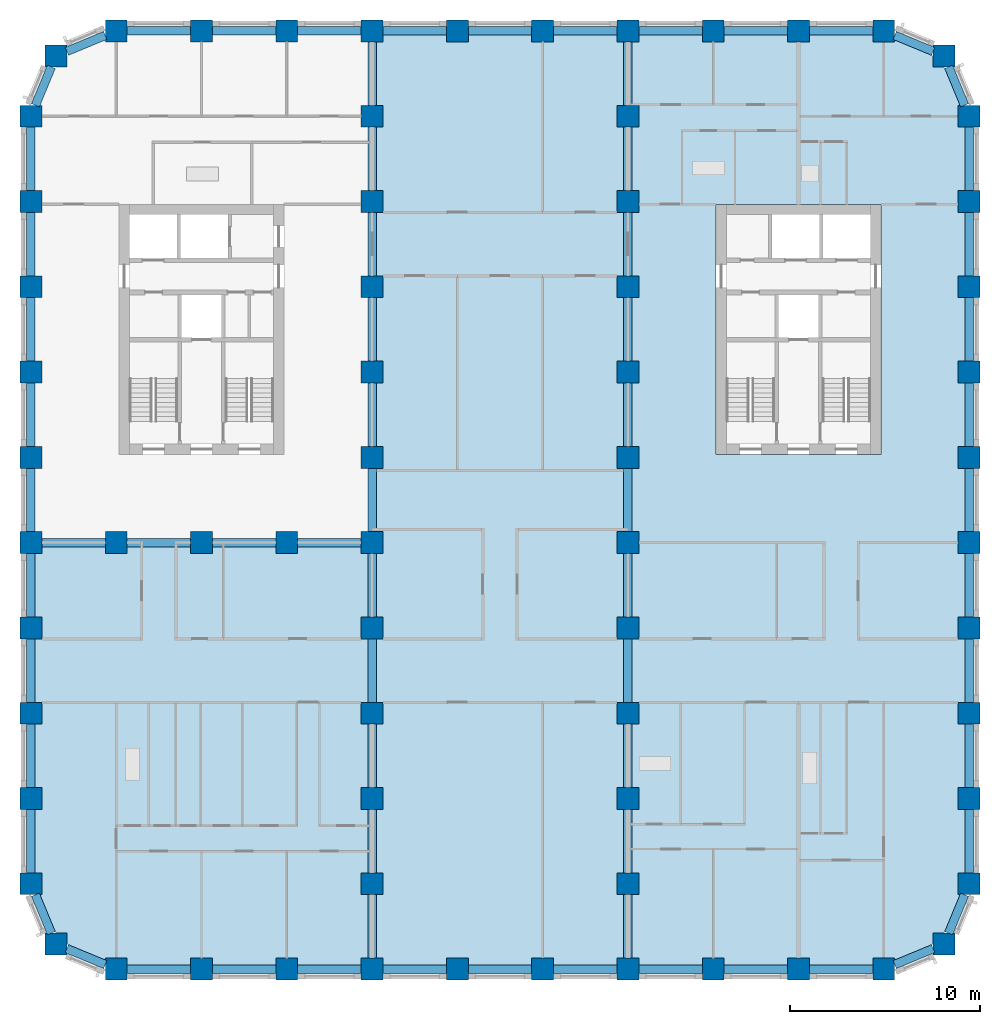
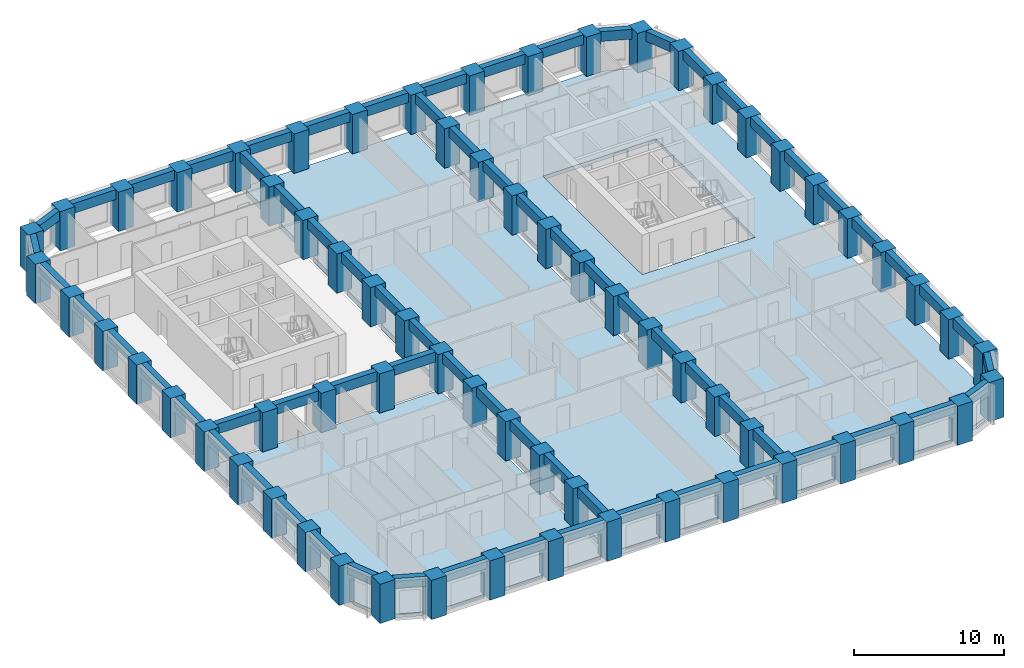
# One storey, part 1 of 13: 70 beams, 67 columns, 3 slabs.
"""IFC4 building model written with IfcOpenShell, lengths in metres."""

import ifcopenshell
import ifcopenshell.guid

model = None  # the IFC model being written
_history = None  # IfcOwnerHistory: only IFC2X3 demands one
_inside = {}  # id of a spatial element -> (the spatial element, [elements in it])
_under = {}  # id of a project, library or spatial element -> (it, [spatial elements below it])
_declared = {}  # id of a project -> (the project, [libraries it declares])
_typed = {}  # id of a type object -> (the type object, [elements of that type])
_made_of = {}  # id of a material, layer set ... -> (it, [elements and type objects made of it])


def new_model(schema):
    """Start an empty IFC model of exactly this schema.

    Asked for "IFC4X3", IfcOpenShell would pick the latest addendum, in which some entities
    have other attributes; the version numbers below select the first issue.
    IFC2X3 requires an IfcOwnerHistory on every rooted entity: one is made here for all.
    """
    global model, _history
    if schema == "IFC4X3":
        model = ifcopenshell.file(schema_version=(4, 3, 0, 0))
    else:
        model = ifcopenshell.file(schema=schema)
    _inside.clear()
    _under.clear()
    _declared.clear()
    _typed.clear()
    _made_of.clear()
    _history = None
    if model.schema == "IFC2X3":
        org = make("IfcOrganization", Name="unknown")
        user = make(
            "IfcPersonAndOrganization",
            ThePerson=make("IfcPerson", FamilyName="unknown"),
            TheOrganization=org,
        )
        app = make(
            "IfcApplication",
            ApplicationDeveloper=org,
            Version="unknown",
            ApplicationFullName="unknown",
            ApplicationIdentifier="unknown",
        )
        _history = make(
            "IfcOwnerHistory",
            OwningUser=user,
            OwningApplication=app,
            ChangeAction="ADDED",
            CreationDate=0,
        )
    return model


def make(cls, **values):
    """One entity of the class cls with the attributes given. An attribute that is None is left unset."""
    return model.create_entity(
        cls, **{name: value for name, value in values.items() if value is not None}
    )


def rooted(cls, **values):
    """An entity with a GlobalId (a new one), such as an element, a storey or a relation."""
    return make(cls, GlobalId=ifcopenshell.guid.new(), OwnerHistory=_history, **values)


def si_unit(unit_type, name, prefix=None):
    """IfcSIUnit, for example si_unit("LENGTHUNIT", "METRE", prefix="MILLI")."""
    return make("IfcSIUnit", UnitType=unit_type, Prefix=prefix, Name=name)


def assignment(units):
    """IfcUnitAssignment: the units of a project."""
    return None if units is None else make("IfcUnitAssignment", Units=units)


def point(xyz):
    """IfcCartesianPoint."""
    return None if xyz is None else make("IfcCartesianPoint", Coordinates=xyz)


def direction(xyz):
    """IfcDirection."""
    return None if xyz is None else make("IfcDirection", DirectionRatios=xyz)


def frame(location, z_axis=None, x_axis=None):
    """IfcAxis2Placement3D, a coordinate frame: its origin and axes. An axis left out is left unset."""
    return make(
        "IfcAxis2Placement3D",
        Location=point(location),
        Axis=direction(z_axis),
        RefDirection=direction(x_axis),
    )


def frame_2d(location, x_axis=None):
    """IfcAxis2Placement2D, a coordinate frame in the plane: its origin and x axis."""
    return make(
        "IfcAxis2Placement2D", Location=point(location), RefDirection=direction(x_axis)
    )


def origin():
    """The frame at (0, 0, 0) with its axes left unset."""
    return frame((0.0, 0.0, 0.0))


def origin_2d():
    """The frame at (0, 0) in the plane with its x axis left unset."""
    return frame_2d((0.0, 0.0))


def place(relative_to, where):
    """IfcLocalPlacement: puts the frame where relative to a parent placement (None: the world)."""
    return make(
        "IfcLocalPlacement", PlacementRelTo=relative_to, RelativePlacement=where
    )


def context(
    kind, dimensions, precision=None, world=None, true_north=None, identifier=None
):
    """IfcGeometricRepresentationContext, for example the 3D "Model" context."""
    return make(
        "IfcGeometricRepresentationContext",
        ContextIdentifier=identifier,
        ContextType=kind,
        CoordinateSpaceDimension=dimensions,
        Precision=precision,
        WorldCoordinateSystem=world,
        TrueNorth=true_north,
    )


def subcontext(parent, identifier, kind, view, scale=None):
    """IfcGeometricRepresentationSubContext, for example "Body" below "Model"."""
    return make(
        "IfcGeometricRepresentationSubContext",
        ContextIdentifier=identifier,
        ContextType=kind,
        ParentContext=parent,
        TargetScale=scale,
        TargetView=view,
    )


def project(units=None, contexts=None):
    """IfcProject with its units and contexts."""
    return rooted(
        "IfcProject",
        Name="project",
        RepresentationContexts=contexts,
        UnitsInContext=assignment(units),
    )


def spatial(cls, under=None, at=None, **own):
    """A site, building, storey or space (cls), placed at a placement, below another one or the project."""
    s = rooted(cls, ObjectPlacement=at, **own)
    if under is not None:
        _under.setdefault(under.id(), (under, []))[1].append(s)
    return s


def polyline(points):
    """IfcPolyline through the points."""
    return make("IfcPolyline", Points=[point(p) for p in points])


def profile(cls, at=None, kind="AREA", **sizes):
    """A parametric profile (cls). Its sizes go by their IFC names, for example OverallWidth=200.0."""
    return make(cls, ProfileType=kind, Position=at, **sizes)


def rectangle(**sizes):
    """IfcRectangleProfileDef."""
    return profile("IfcRectangleProfileDef", **sizes)


def outline(outer, holes=None, kind="AREA"):
    """IfcArbitraryClosedProfileDef: a profile drawn as a closed curve; with holes, ...WithVoids."""
    if holes is None:
        return make("IfcArbitraryClosedProfileDef", ProfileType=kind, OuterCurve=outer)
    return make(
        "IfcArbitraryProfileDefWithVoids",
        ProfileType=kind,
        OuterCurve=outer,
        InnerCurves=holes,
    )


def extrude(swept, where, along, depth):
    """IfcExtrudedAreaSolid: the profile swept, set in the frame where, extruded along a direction by depth."""
    return make(
        "IfcExtrudedAreaSolid",
        SweptArea=swept,
        Position=where,
        ExtrudedDirection=direction(along),
        Depth=depth,
    )


def shape(context_of_items, identifier, shape_type, items):
    """IfcShapeRepresentation: the items that make up one representation, for example the "Body"."""
    return make(
        "IfcShapeRepresentation",
        ContextOfItems=context_of_items,
        RepresentationIdentifier=identifier,
        RepresentationType=shape_type,
        Items=items,
    )


def material(Name=None, Category=None):
    """IfcMaterial."""
    return make("IfcMaterial", Name=Name, Category=Category)


def layer(
    of_material, thickness, ventilated=None, Name=None, Category=None, Priority=None
):
    """IfcMaterialLayer: one layer of a wall or slab, of a material (None: an air gap)."""
    return make(
        "IfcMaterialLayer",
        Material=of_material,
        LayerThickness=thickness,
        IsVentilated=ventilated,
        Name=Name,
        Category=Category,
        Priority=Priority,
    )


def layer_set(layers, Name=None):
    """IfcMaterialLayerSet."""
    return make("IfcMaterialLayerSet", MaterialLayers=layers, LayerSetName=Name)


def material_profile(
    of_material, cross_section, Name=None, Category=None, Priority=None
):
    """IfcMaterialProfile: a cross section and its material."""
    return make(
        "IfcMaterialProfile",
        Name=Name,
        Material=of_material,
        Profile=cross_section,
        Priority=Priority,
        Category=Category,
    )


def profile_set(profiles, Name=None, composite=None):
    """IfcMaterialProfileSet."""
    return make(
        "IfcMaterialProfileSet",
        Name=Name,
        MaterialProfiles=profiles,
        CompositeProfile=composite,
    )


def made_of(thing, what):
    """Note that an element or type object is made of a material, layer set ...; save() writes the relation."""
    if what is not None:
        _made_of.setdefault(what.id(), (what, []))[1].append(thing)
    return thing


def type_object(cls, material=None, **own):
    """A type object (cls), such as IfcWallType, which elements share."""
    return made_of(rooted(cls, **own), material)


def element(
    cls,
    number,
    at=None,
    inside=None,
    cuts=None,
    type_object=None,
    material=None,
    context=None,
    identifier="Body",
    shape_type=None,
    held_by="IfcProductDefinitionShape",
    body=None,
    shapes=None,
    **own,
):
    """One element of the class cls, such as IfcWall. Its Tag is "e" and its number.

    at: its placement. inside: the storey or other place that contains it. cuts: it is an
    opening in that element (IfcRelVoidsElement). A single representation is given by context,
    identifier, shape_type and body (its items); several are given by shapes. held_by: the class
    of the entity that holds the representations. save() writes the other relations.
    """
    e = rooted(cls, Tag="e%d" % number, ObjectPlacement=at, **own)
    if body is not None:
        shapes = [shape(context, identifier, shape_type, body)]
    if shapes is not None:
        e.Representation = make(held_by, Representations=shapes)
    if inside is not None:
        _inside.setdefault(inside.id(), (inside, []))[1].append(e)
    if cuts is not None:
        rooted(
            "IfcRelVoidsElement", RelatingBuildingElement=cuts, RelatedOpeningElement=e
        )
    if type_object is not None:
        _typed.setdefault(type_object.id(), (type_object, []))[1].append(e)
    return made_of(e, material)


def aggregate(whole, parts):
    """IfcRelAggregates: a whole, such as a stair, and the parts it consists of."""
    return rooted("IfcRelAggregates", RelatingObject=whole, RelatedObjects=parts)


def save(model, path):
    """Write the relations noted so far, then the file.

    IfcRelAggregates (storeys below a building ...), IfcRelContainedInSpatialStructure (elements
    in a storey), IfcRelDefinesByType, IfcRelAssociatesMaterial and IfcRelDeclares: one each for
    every whole, place, type object, material and project.
    """
    for whole, parts in _under.values():
        aggregate(whole, parts)
    for where, things in _inside.values():
        rooted(
            "IfcRelContainedInSpatialStructure",
            RelatedElements=things,
            RelatingStructure=where,
        )
    for kind, things in _typed.values():
        rooted("IfcRelDefinesByType", RelatedObjects=things, RelatingType=kind)
    for what, things in _made_of.values():
        rooted("IfcRelAssociatesMaterial", RelatedObjects=things, RelatingMaterial=what)
    for by, libraries in _declared.values():
        rooted("IfcRelDeclares", RelatingContext=by, RelatedDefinitions=libraries)
    model.write(path)


model = new_model("IFC4")

# Units and contexts
model_context = context("Model", 3, precision=1e-05, world=origin(), true_north=direction((0.0, 1.0)))
body_context = subcontext(model_context, "Body", "Model", "MODEL_VIEW")
ifc_project = project(units=[si_unit("LENGTHUNIT", "METRE"), si_unit("AREAUNIT", "SQUARE_METRE"), si_unit("VOLUMEUNIT", "CUBIC_METRE"), si_unit("PLANEANGLEUNIT", "RADIAN"), si_unit("MASSUNIT", "GRAM", prefix="KILO")], contexts=[model_context])

# Site, building, storey
site_placement = place(None, origin())
site = spatial("IfcSite", under=ifc_project, at=site_placement, CompositionType="ELEMENT")
building_placement = place(site_placement, origin())
building = spatial("IfcBuilding", under=site, at=building_placement, Name="Girih Gate Residences", CompositionType="ELEMENT")
storey_placement = place(building_placement, frame((0.0, 0.0, 102.39990234375)))
storey = spatial("IfcBuildingStorey", under=building, at=storey_placement, Name="L28", CompositionType="ELEMENT", Elevation=102.39990234375)

# Columns
ifc_material_1 = material(Name="Concrete C80/95", Category="concrete")
ifc_material_profile_1 = material_profile(ifc_material_1, rectangle(XDim=1.14990234375, YDim=1.14990234375, at=origin_2d()))
ifc_profile_set_1 = profile_set([ifc_material_profile_1], Name="Concrete C80/95")
column_type = type_object("IfcColumnType", Name="Pier RC 1150x1150 Concrete C80/95", PredefinedType="COLUMN", material=ifc_profile_set_1)
for number, where, z_axis, x_axis, name in (
    (1, (4.5, 0.0, 0.0), (0.0, 0.0, 1.0), (1.0, 0.0, 0.0), "Pier P2A L28"),
    (2, (9.0, 0.0, 0.0), (0.0, 0.0, 1.0), (1.0, 0.0, 0.0), "Pier P3A L28"),
    (3, (13.5, 0.0, 0.0), (0.0, 0.0, 1.0), (1.0, 0.0, 0.0), "Pier P4A L28"),
    (4, (18.0, 0.0, 0.0), (0.0, 0.0, 1.0), (1.0, 0.0, 0.0), "Pier P5A L28"),
    (5, (22.5, 0.0, 0.0), (0.0, 0.0, 1.0), (1.0, 0.0, 0.0), "Pier P6A L28"),
    (6, (27.0, 0.0, 0.0), (0.0, 0.0, 1.0), (1.0, 0.0, 0.0), "Pier P7A L28"),
    (7, (31.5, 0.0, 0.0), (0.0, 0.0, 1.0), (1.0, 0.0, 0.0), "Pier P8A L28"),
    (8, (36.0, 0.0, 0.0), (0.0, 0.0, 1.0), (1.0, 0.0, 0.0), "Pier P9A L28"),
    (9, (40.5, 0.0, 0.0), (0.0, 0.0, 1.0), (1.0, 0.0, 0.0), "Pier P10A L28"),
    (10, (45.0, 0.0, 0.0), (0.0, 0.0, 1.0), (1.0, 0.0, 0.0), "Pier P11A L28"),
    (11, (1.318115234375, 1.318115234375, 0.0), (0.0, 0.0, 1.0), (1.0, 0.0, 0.0), "Pier P1ANE L28"),
    (12, (48.181884765625, 1.318115234375, 0.0), (0.0, 0.0, 1.0), (1.0, 0.0, 0.0), "Pier P12ANW L28"),
    (13, (0.0, 4.5, 0.0), (0.0, 0.0, 1.0), (1.0, 0.0, 0.0), "Pier P1B L28"),
    (14, (18.0, 4.5, 0.0), (0.0, 0.0, 1.0), (1.0, 0.0, 0.0), "Pier P5B L28"),
    (15, (31.5, 4.5, 0.0), (0.0, 0.0, 1.0), (1.0, 0.0, 0.0), "Pier P8B L28"),
    (16, (49.5, 4.5, 0.0), (0.0, 0.0, 1.0), (1.0, 0.0, 0.0), "Pier P12B L28"),
    (17, (0.0, 9.0, 0.0), (0.0, 0.0, 1.0), (1.0, 0.0, 0.0), "Pier P1C L28"),
    (18, (18.0, 9.0, 0.0), (0.0, 0.0, 1.0), (1.0, 0.0, 0.0), "Pier P5C L28"),
    (19, (31.5, 9.0, 0.0), (0.0, 0.0, 1.0), (1.0, 0.0, 0.0), "Pier P8C L28"),
    (20, (49.5, 9.0, 0.0), (0.0, 0.0, 1.0), (1.0, 0.0, 0.0), "Pier P12C L28"),
    (21, (0.0, 13.5, 0.0), (0.0, 0.0, 1.0), (1.0, 0.0, 0.0), "Pier P1D L28"),
    (22, (18.0, 13.5, 0.0), (0.0, 0.0, 1.0), (1.0, 0.0, 0.0), "Pier P5D L28"),
    (23, (31.5, 13.5, 0.0), (0.0, 0.0, 1.0), (1.0, 0.0, 0.0), "Pier P8D L28"),
    (24, (49.5, 13.5, 0.0), (0.0, 0.0, 1.0), (1.0, 0.0, 0.0), "Pier P12D L28"),
    (25, (0.0, 18.0, 0.0), (0.0, 0.0, 1.0), (1.0, 0.0, 0.0), "Pier P1E L28"),
    (26, (18.0, 18.0, 0.0), (0.0, 0.0, 1.0), (1.0, 0.0, 0.0), "Pier P5E L28"),
    (27, (31.5, 18.0, 0.0), (0.0, 0.0, 1.0), (1.0, 0.0, 0.0), "Pier P8E L28"),
    (28, (49.5, 18.0, 0.0), (0.0, 0.0, 1.0), (1.0, 0.0, 0.0), "Pier P12E L28"),
    (29, (0.0, 22.5, 0.0), (0.0, 0.0, 1.0), (1.0, 0.0, 0.0), "Pier P1F L28"),
    (30, (4.5, 22.5, 0.0), (0.0, 0.0, 1.0), (1.0, 0.0, 0.0), "Pier P2F L28"),
    (31, (9.0, 22.5, 0.0), (0.0, 0.0, 1.0), (1.0, 0.0, 0.0), "Pier P3F L28"),
    (32, (13.5, 22.5, 0.0), (0.0, 0.0, 1.0), (1.0, 0.0, 0.0), "Pier P4F L28"),
    (33, (18.0, 22.5, 0.0), (0.0, 0.0, 1.0), (1.0, 0.0, 0.0), "Pier P5F L28"),
    (34, (31.5, 22.5, 0.0), (0.0, 0.0, 1.0), (1.0, 0.0, 0.0), "Pier P8F L28"),
    (35, (49.5, 22.5, 0.0), (0.0, 0.0, 1.0), (1.0, 0.0, 0.0), "Pier P12F L28"),
    (36, (0.0, 27.0, 0.0), (0.0, 0.0, 1.0), (1.0, 0.0, 0.0), "Pier P1G L28"),
    (37, (18.0, 27.0, 0.0), (0.0, 0.0, 1.0), (1.0, 0.0, 0.0), "Pier P5G L28"),
    (38, (31.5, 27.0, 0.0), (0.0, 0.0, 1.0), (1.0, 0.0, 0.0), "Pier P8G L28"),
    (39, (49.5, 27.0, 0.0), (0.0, 0.0, 1.0), (1.0, 0.0, 0.0), "Pier P12G L28"),
    (40, (0.0, 31.5, 0.0), (0.0, 0.0, 1.0), (1.0, 0.0, 0.0), "Pier P1H L28"),
    (41, (18.0, 31.5, 0.0), (0.0, 0.0, 1.0), (1.0, 0.0, 0.0), "Pier P5H L28"),
    (42, (31.5, 31.5, 0.0), (0.0, 0.0, 1.0), (1.0, 0.0, 0.0), "Pier P8H L28"),
    (43, (49.5, 31.5, 0.0), (0.0, 0.0, 1.0), (1.0, 0.0, 0.0), "Pier P12H L28"),
    (44, (0.0, 36.0, 0.0), (0.0, 0.0, 1.0), (1.0, 0.0, 0.0), "Pier P1I L28"),
    (45, (18.0, 36.0, 0.0), (0.0, 0.0, 1.0), (1.0, 0.0, 0.0), "Pier P5I L28"),
    (46, (31.5, 36.0, 0.0), (0.0, 0.0, 1.0), (1.0, 0.0, 0.0), "Pier P8I L28"),
    (47, (49.5, 36.0, 0.0), (0.0, 0.0, 1.0), (1.0, 0.0, 0.0), "Pier P12I L28"),
    (48, (0.0, 40.5, 0.0), (0.0, 0.0, 1.0), (1.0, 0.0, 0.0), "Pier P1J L28"),
    (49, (18.0, 40.5, 0.0), (0.0, 0.0, 1.0), (1.0, 0.0, 0.0), "Pier P5J L28"),
    (50, (31.5, 40.5, 0.0), (0.0, 0.0, 1.0), (1.0, 0.0, 0.0), "Pier P8J L28"),
    (51, (49.5, 40.5, 0.0), (0.0, 0.0, 1.0), (1.0, 0.0, 0.0), "Pier P12J L28"),
    (52, (0.0, 45.0, 0.0), (0.0, 0.0, 1.0), (1.0, 0.0, 0.0), "Pier P1K L28"),
    (53, (18.0, 45.0, 0.0), (0.0, 0.0, 1.0), (1.0, 0.0, 0.0), "Pier P5K L28"),
    (54, (31.5, 45.0, 0.0), (0.0, 0.0, 1.0), (1.0, 0.0, 0.0), "Pier P8K L28"),
    (55, (49.5, 45.0, 0.0), (0.0, 0.0, 1.0), (1.0, 0.0, 0.0), "Pier P12K L28"),
    (56, (1.318115234375, 48.181884765625, 0.0), (0.0, 0.0, 1.0), (1.0, 0.0, 0.0), "Pier P1LSE L28"),
    (57, (48.181884765625, 48.181884765625, 0.0), (0.0, 0.0, 1.0), (1.0, 0.0, 0.0), "Pier P12LSW L28"),
    (58, (4.5, 49.5, 0.0), (0.0, 0.0, 1.0), (1.0, 0.0, 0.0), "Pier P2L L28"),
    (59, (9.0, 49.5, 0.0), (0.0, 0.0, 1.0), (1.0, 0.0, 0.0), "Pier P3L L28"),
    (60, (13.5, 49.5, 0.0), (0.0, 0.0, 1.0), (1.0, 0.0, 0.0), "Pier P4L L28"),
    (61, (18.0, 49.5, 0.0), (0.0, 0.0, 1.0), (1.0, 0.0, 0.0), "Pier P5L L28"),
    (62, (22.5, 49.5, 0.0), (0.0, 0.0, 1.0), (1.0, 0.0, 0.0), "Pier P6L L28"),
    (63, (27.0, 49.5, 0.0), (0.0, 0.0, 1.0), (1.0, 0.0, 0.0), "Pier P7L L28"),
    (64, (31.5, 49.5, 0.0), (0.0, 0.0, 1.0), (1.0, 0.0, 0.0), "Pier P8L L28"),
    (65, (36.0, 49.5, 0.0), (0.0, 0.0, 1.0), (1.0, 0.0, 0.0), "Pier P9L L28"),
    (66, (40.5, 49.5, 0.0), (0.0, 0.0, 1.0), (1.0, 0.0, 0.0), "Pier P10L L28"),
    (67, (45.0, 49.5, 0.0), (0.0, 0.0, 1.0), (1.0, 0.0, 0.0), "Pier P11L L28"),
):
    element("IfcColumn", number, at=place(storey_placement, frame(where, z_axis=z_axis, x_axis=x_axis)), inside=storey, type_object=column_type, Name=name, PredefinedType="COLUMN", context=body_context, shape_type="SweptSolid", body=[
        extrude(rectangle(XDim=1.14990234375, YDim=1.14990234375, at=origin_2d()), origin(), (0.0, 0.0, 1.0), 3.2001953125),
    ])

# Beams
ifc_material_2 = material(Name="Concrete C60/75", Category="concrete")
ifc_material_profile_2 = material_profile(ifc_material_2, rectangle(XDim=0.449951171875, YDim=0.800048828125, at=origin_2d()))
ifc_profile_set_2 = profile_set([ifc_material_profile_2], Name="Concrete C60/75")
beam_type = type_object("IfcBeamType", Name="Spandrel girder RC 450x800 Concrete C60/75", PredefinedType="BEAM", material=ifc_profile_set_2)
for number, where, z_axis, x_axis, name in (
    (68, (0.23828125, 3.925048828125, 2.800048828125), (0.382636106589, -0.92389913407, 0.0), (0.92389913407, 0.382636106589, 0.0), "Spandrel girder SP-P1B-P1ANE L28"),
    (69, (1.89306640625, 1.079833984375, 2.800048828125), (0.92389913407, -0.382636106589, 0.0), (0.382636106589, 0.92389913407, 0.0), "Spandrel girder SP-P1ANE-P2A L28"),
):
    element("IfcBeam", number, at=place(storey_placement, frame(where, z_axis=z_axis, x_axis=x_axis)), inside=storey, type_object=beam_type, Name=name, PredefinedType="BEAM", context=body_context, shape_type="SweptSolid", body=[
        extrude(rectangle(XDim=0.449951171875, YDim=0.800048828125, at=origin_2d()), origin(), (0.0, 0.0, 1.0), 2.199462890625),
    ])
for number, where, z_axis, x_axis, name in (
    (70, (5.074951171875, 0.0, 2.800048828125), (1.0, 0.0, 0.0), (0.0, 1.0, 0.0), "Spandrel girder SP-P2A-P3A L28"),
    (71, (9.574951171875, 0.0, 2.800048828125), (1.0, 0.0, 0.0), (0.0, 1.0, 0.0), "Spandrel girder SP-P3A-P4A L28"),
    (72, (14.074951171875, 0.0, 2.800048828125), (1.0, 0.0, 0.0), (0.0, 1.0, 0.0), "Spandrel girder SP-P4A-P5A L28"),
    (73, (18.574951171875, 0.0, 2.800048828125), (1.0, 0.0, 0.0), (0.0, 1.0, 0.0), "Spandrel girder SP-P5A-P6A L28"),
    (74, (23.074951171875, 0.0, 2.800048828125), (1.0, 0.0, 0.0), (0.0, 1.0, 0.0), "Spandrel girder SP-P6A-P7A L28"),
    (75, (27.574951171875, 0.0, 2.800048828125), (1.0, 0.0, 0.0), (0.0, 1.0, 0.0), "Spandrel girder SP-P7A-P8A L28"),
    (76, (32.074951171875, 0.0, 2.800048828125), (1.0, 0.0, 0.0), (0.0, 1.0, 0.0), "Spandrel girder SP-P8A-P9A L28"),
    (77, (36.574951171875, 0.0, 2.800048828125), (1.0, 0.0, 0.0), (0.0, 1.0, 0.0), "Spandrel girder SP-P9A-P10A L28"),
    (78, (41.074951171875, 0.0, 2.800048828125), (1.0, 0.0, 0.0), (0.0, 1.0, 0.0), "Spandrel girder SP-P10A-P11A L28"),
):
    element("IfcBeam", number, at=place(storey_placement, frame(where, z_axis=z_axis, x_axis=x_axis)), inside=storey, type_object=beam_type, Name=name, PredefinedType="BEAM", context=body_context, shape_type="SweptSolid", body=[
        extrude(rectangle(XDim=0.449951171875, YDim=0.800048828125, at=origin_2d()), origin(), (0.0, 0.0, 1.0), 3.35009765625),
    ])
for number, where, z_axis, x_axis, name in (
    (79, (45.574951171875, 0.23828125, 2.800048828125), (0.92389913407, 0.382636106589, 0.0), (-0.382636106589, 0.92389913407, 0.0), "Spandrel girder SP-P11A-P12ANW L28"),
    (80, (48.420166015625, 1.89306640625, 2.800048828125), (0.382636106589, 0.92389913407, 0.0), (-0.92389913407, 0.382636106589, 0.0), "Spandrel girder SP-P12ANW-P12B L28"),
):
    element("IfcBeam", number, at=place(storey_placement, frame(where, z_axis=z_axis, x_axis=x_axis)), inside=storey, type_object=beam_type, Name=name, PredefinedType="BEAM", context=body_context, shape_type="SweptSolid", body=[
        extrude(rectangle(XDim=0.449951171875, YDim=0.800048828125, at=origin_2d()), origin(), (0.0, 0.0, 1.0), 2.199462890625),
    ])
for number, where, z_axis, x_axis, name in (
    (81, (49.5, 5.074951171875, 2.800048828125), (0.0, 1.0, 0.0), (-1.0, 0.0, 0.0), "Spandrel girder SP-P12B-P12C L28"),
    (82, (49.5, 9.574951171875, 2.800048828125), (0.0, 1.0, 0.0), (-1.0, 0.0, 0.0), "Spandrel girder SP-P12C-P12D L28"),
    (83, (49.5, 14.074951171875, 2.800048828125), (0.0, 1.0, 0.0), (-1.0, 0.0, 0.0), "Spandrel girder SP-P12D-P12E L28"),
    (84, (49.5, 18.574951171875, 2.800048828125), (0.0, 1.0, 0.0), (-1.0, 0.0, 0.0), "Spandrel girder SP-P12E-P12F L28"),
    (85, (49.5, 23.074951171875, 2.800048828125), (0.0, 1.0, 0.0), (-1.0, 0.0, 0.0), "Spandrel girder SP-P12F-P12G L28"),
    (86, (49.5, 27.574951171875, 2.800048828125), (0.0, 1.0, 0.0), (-1.0, 0.0, 0.0), "Spandrel girder SP-P12G-P12H L28"),
    (87, (49.5, 32.074951171875, 2.800048828125), (0.0, 1.0, 0.0), (-1.0, 0.0, 0.0), "Spandrel girder SP-P12H-P12I L28"),
    (88, (49.5, 36.574951171875, 2.800048828125), (0.0, 1.0, 0.0), (-1.0, 0.0, 0.0), "Spandrel girder SP-P12I-P12J L28"),
    (89, (49.5, 41.074951171875, 2.800048828125), (0.0, 1.0, 0.0), (-1.0, 0.0, 0.0), "Spandrel girder SP-P12J-P12K L28"),
):
    element("IfcBeam", number, at=place(storey_placement, frame(where, z_axis=z_axis, x_axis=x_axis)), inside=storey, type_object=beam_type, Name=name, PredefinedType="BEAM", context=body_context, shape_type="SweptSolid", body=[
        extrude(rectangle(XDim=0.449951171875, YDim=0.800048828125, at=origin_2d()), origin(), (0.0, 0.0, 1.0), 3.35009765625),
    ])
for number, where, z_axis, x_axis, name in (
    (90, (49.26171875, 45.574951171875, 2.800048828125), (-0.382636106589, 0.92389913407, 0.0), (-0.92389913407, -0.382636106589, 0.0), "Spandrel girder SP-P12K-P12LSW L28"),
    (91, (47.60693359375, 48.420166015625, 2.800048828125), (-0.92389913407, 0.382636106589, 0.0), (-0.382636106589, -0.92389913407, 0.0), "Spandrel girder SP-P12LSW-P11L L28"),
):
    element("IfcBeam", number, at=place(storey_placement, frame(where, z_axis=z_axis, x_axis=x_axis)), inside=storey, type_object=beam_type, Name=name, PredefinedType="BEAM", context=body_context, shape_type="SweptSolid", body=[
        extrude(rectangle(XDim=0.449951171875, YDim=0.800048828125, at=origin_2d()), origin(), (0.0, 0.0, 1.0), 2.199462890625),
    ])
for number, where, z_axis, x_axis, name in (
    (92, (44.425048828125, 49.5, 2.800048828125), (-1.0, 0.0, 0.0), (0.0, -1.0, 0.0), "Spandrel girder SP-P11L-P10L L28"),
    (93, (39.925048828125, 49.5, 2.800048828125), (-1.0, 0.0, 0.0), (0.0, -1.0, 0.0), "Spandrel girder SP-P10L-P9L L28"),
    (94, (35.425048828125, 49.5, 2.800048828125), (-1.0, 0.0, 0.0), (0.0, -1.0, 0.0), "Spandrel girder SP-P9L-P8L L28"),
    (95, (30.925048828125, 49.5, 2.800048828125), (-1.0, 0.0, 0.0), (0.0, -1.0, 0.0), "Spandrel girder SP-P8L-P7L L28"),
    (96, (26.425048828125, 49.5, 2.800048828125), (-1.0, 0.0, 0.0), (0.0, -1.0, 0.0), "Spandrel girder SP-P7L-P6L L28"),
    (97, (21.925048828125, 49.5, 2.800048828125), (-1.0, 0.0, 0.0), (0.0, -1.0, 0.0), "Spandrel girder SP-P6L-P5L L28"),
    (98, (17.425048828125, 49.5, 2.800048828125), (-1.0, 0.0, 0.0), (0.0, -1.0, 0.0), "Spandrel girder SP-P5L-P4L L28"),
    (99, (12.925048828125, 49.5, 2.800048828125), (-1.0, 0.0, 0.0), (0.0, -1.0, 0.0), "Spandrel girder SP-P4L-P3L L28"),
    (100, (8.425048828125, 49.5, 2.800048828125), (-1.0, 0.0, 0.0), (0.0, -1.0, 0.0), "Spandrel girder SP-P3L-P2L L28"),
):
    element("IfcBeam", number, at=place(storey_placement, frame(where, z_axis=z_axis, x_axis=x_axis)), inside=storey, type_object=beam_type, Name=name, PredefinedType="BEAM", context=body_context, shape_type="SweptSolid", body=[
        extrude(rectangle(XDim=0.449951171875, YDim=0.800048828125, at=origin_2d()), origin(), (0.0, 0.0, 1.0), 3.35009765625),
    ])
for number, where, z_axis, x_axis, name in (
    (101, (3.925048828125, 49.26171875, 2.800048828125), (-0.92389913407, -0.382636106589, 0.0), (0.382636106589, -0.92389913407, 0.0), "Spandrel girder SP-P2L-P1LSE L28"),
    (102, (1.079833984375, 47.60693359375, 2.800048828125), (-0.382636106589, -0.92389913407, 0.0), (0.92389913407, -0.382636106589, 0.0), "Spandrel girder SP-P1LSE-P1K L28"),
):
    element("IfcBeam", number, at=place(storey_placement, frame(where, z_axis=z_axis, x_axis=x_axis)), inside=storey, type_object=beam_type, Name=name, PredefinedType="BEAM", context=body_context, shape_type="SweptSolid", body=[
        extrude(rectangle(XDim=0.449951171875, YDim=0.800048828125, at=origin_2d()), origin(), (0.0, 0.0, 1.0), 2.199462890625),
    ])
for number, where, z_axis, x_axis, name in (
    (103, (0.0, 44.425048828125, 2.800048828125), (0.0, -1.0, 0.0), (1.0, 0.0, 0.0), "Spandrel girder SP-P1K-P1J L28"),
    (104, (0.0, 39.925048828125, 2.800048828125), (0.0, -1.0, 0.0), (1.0, 0.0, 0.0), "Spandrel girder SP-P1J-P1I L28"),
    (105, (0.0, 35.425048828125, 2.800048828125), (0.0, -1.0, 0.0), (1.0, 0.0, 0.0), "Spandrel girder SP-P1I-P1H L28"),
    (106, (0.0, 30.925048828125, 2.800048828125), (0.0, -1.0, 0.0), (1.0, 0.0, 0.0), "Spandrel girder SP-P1H-P1G L28"),
    (107, (0.0, 26.425048828125, 2.800048828125), (0.0, -1.0, 0.0), (1.0, 0.0, 0.0), "Spandrel girder SP-P1G-P1F L28"),
    (108, (0.0, 21.925048828125, 2.800048828125), (0.0, -1.0, 0.0), (1.0, 0.0, 0.0), "Spandrel girder SP-P1F-P1E L28"),
    (109, (0.0, 17.425048828125, 2.800048828125), (0.0, -1.0, 0.0), (1.0, 0.0, 0.0), "Spandrel girder SP-P1E-P1D L28"),
    (110, (0.0, 12.925048828125, 2.800048828125), (0.0, -1.0, 0.0), (1.0, 0.0, 0.0), "Spandrel girder SP-P1D-P1C L28"),
    (111, (0.0, 8.425048828125, 2.800048828125), (0.0, -1.0, 0.0), (1.0, 0.0, 0.0), "Spandrel girder SP-P1C-P1B L28"),
    (112, (18.0, 0.574951171875, 2.800048828125), (0.0, 1.0, 0.0), (-1.0, 0.0, 0.0), "Spandrel girder SP-P5A-P5B L28"),
    (113, (18.0, 5.074951171875, 2.800048828125), (0.0, 1.0, 0.0), (-1.0, 0.0, 0.0), "Spandrel girder SP-P5B-P5C L28"),
    (114, (18.0, 9.574951171875, 2.800048828125), (0.0, 1.0, 0.0), (-1.0, 0.0, 0.0), "Spandrel girder SP-P5C-P5D L28"),
    (115, (18.0, 14.074951171875, 2.800048828125), (0.0, 1.0, 0.0), (-1.0, 0.0, 0.0), "Spandrel girder SP-P5D-P5E L28"),
    (116, (18.0, 18.574951171875, 2.800048828125), (0.0, 1.0, 0.0), (-1.0, 0.0, 0.0), "Spandrel girder SP-P5E-P5F L28"),
    (117, (18.0, 23.074951171875, 2.800048828125), (0.0, 1.0, 0.0), (-1.0, 0.0, 0.0), "Spandrel girder SP-P5F-P5G L28"),
    (118, (18.0, 27.574951171875, 2.800048828125), (0.0, 1.0, 0.0), (-1.0, 0.0, 0.0), "Spandrel girder SP-P5G-P5H L28"),
    (119, (18.0, 32.074951171875, 2.800048828125), (0.0, 1.0, 0.0), (-1.0, 0.0, 0.0), "Spandrel girder SP-P5H-P5I L28"),
    (120, (18.0, 36.574951171875, 2.800048828125), (0.0, 1.0, 0.0), (-1.0, 0.0, 0.0), "Spandrel girder SP-P5I-P5J L28"),
    (121, (18.0, 41.074951171875, 2.800048828125), (0.0, 1.0, 0.0), (-1.0, 0.0, 0.0), "Spandrel girder SP-P5J-P5K L28"),
    (122, (18.0, 45.574951171875, 2.800048828125), (0.0, 1.0, 0.0), (-1.0, 0.0, 0.0), "Spandrel girder SP-P5K-P5L L28"),
    (123, (31.5, 0.574951171875, 2.800048828125), (0.0, 1.0, 0.0), (-1.0, 0.0, 0.0), "Spandrel girder SP-P8A-P8B L28"),
    (124, (31.5, 5.074951171875, 2.800048828125), (0.0, 1.0, 0.0), (-1.0, 0.0, 0.0), "Spandrel girder SP-P8B-P8C L28"),
    (125, (31.5, 9.574951171875, 2.800048828125), (0.0, 1.0, 0.0), (-1.0, 0.0, 0.0), "Spandrel girder SP-P8C-P8D L28"),
    (126, (31.5, 14.074951171875, 2.800048828125), (0.0, 1.0, 0.0), (-1.0, 0.0, 0.0), "Spandrel girder SP-P8D-P8E L28"),
    (127, (31.5, 18.574951171875, 2.800048828125), (0.0, 1.0, 0.0), (-1.0, 0.0, 0.0), "Spandrel girder SP-P8E-P8F L28"),
    (128, (31.5, 23.074951171875, 2.800048828125), (0.0, 1.0, 0.0), (-1.0, 0.0, 0.0), "Spandrel girder SP-P8F-P8G L28"),
    (129, (31.5, 27.574951171875, 2.800048828125), (0.0, 1.0, 0.0), (-1.0, 0.0, 0.0), "Spandrel girder SP-P8G-P8H L28"),
    (130, (31.5, 32.074951171875, 2.800048828125), (0.0, 1.0, 0.0), (-1.0, 0.0, 0.0), "Spandrel girder SP-P8H-P8I L28"),
    (131, (31.5, 36.574951171875, 2.800048828125), (0.0, 1.0, 0.0), (-1.0, 0.0, 0.0), "Spandrel girder SP-P8I-P8J L28"),
    (132, (31.5, 41.074951171875, 2.800048828125), (0.0, 1.0, 0.0), (-1.0, 0.0, 0.0), "Spandrel girder SP-P8J-P8K L28"),
    (133, (31.5, 45.574951171875, 2.800048828125), (0.0, 1.0, 0.0), (-1.0, 0.0, 0.0), "Spandrel girder SP-P8K-P8L L28"),
    (134, (0.574951171875, 22.5, 2.800048828125), (1.0, 0.0, 0.0), (0.0, 1.0, 0.0), "Spandrel girder SP-P1F-P2F L28"),
    (135, (5.074951171875, 22.5, 2.800048828125), (1.0, 0.0, 0.0), (0.0, 1.0, 0.0), "Spandrel girder SP-P2F-P3F L28"),
    (136, (9.574951171875, 22.5, 2.800048828125), (1.0, 0.0, 0.0), (0.0, 1.0, 0.0), "Spandrel girder SP-P3F-P4F L28"),
    (137, (14.074951171875, 22.5, 2.800048828125), (1.0, 0.0, 0.0), (0.0, 1.0, 0.0), "Spandrel girder SP-P4F-P5F L28"),
):
    element("IfcBeam", number, at=place(storey_placement, frame(where, z_axis=z_axis, x_axis=x_axis)), inside=storey, type_object=beam_type, Name=name, PredefinedType="BEAM", context=body_context, shape_type="SweptSolid", body=[
        extrude(rectangle(XDim=0.449951171875, YDim=0.800048828125, at=origin_2d()), origin(), (0.0, 0.0, 1.0), 3.35009765625),
    ])

# Slabs
ifc_material_3 = material(Name="Concrete C40/50", Category="concrete")
ifc_layer_1 = layer(ifc_material_3, 0.300048828125)
ifc_layer_set_1 = layer_set([ifc_layer_1], Name="Floor slab PT 300 Concrete C40/50")
slab_type_1 = type_object("IfcSlabType", Name="Floor slab PT 300 Concrete C40/50", PredefinedType="FLOOR", material=ifc_layer_set_1)
slab_1_placement = place(storey_placement, frame((0.0, 0.0, -0.2998046875)))
element("IfcSlab", 138, at=slab_1_placement, inside=storey, type_object=slab_type_1, Name="Floor slab L28 0", PredefinedType="FLOOR", context=body_context, shape_type="SweptSolid", body=[
    extrude(outline(polyline([(0.22509765625, 8.425048828125), (0.22509765625, 5.074951171875), (0.574951171875, 5.074951171875), (0.574951171875, 3.925048828125), (0.481689453125, 3.925048828125), (1.323486328125, 1.89306640625), (1.89306640625, 1.89306640625), (1.89306640625, 1.323486328125), (3.925048828125, 0.481689453125), (3.925048828125, 0.574951171875), (5.074951171875, 0.574951171875), (5.074951171875, 0.22509765625), (8.425048828125, 0.22509765625), (8.425048828125, 0.574951171875), (9.574951171875, 0.574951171875), (9.574951171875, 0.22509765625), (12.925048828125, 0.22509765625), (12.925048828125, 0.574951171875), (14.074951171875, 0.574951171875), (14.074951171875, 0.22509765625), (17.425048828125, 0.22509765625), (17.425048828125, 0.574951171875), (17.77490234375, 0.574951171875), (17.77490234375, 3.925048828125), (17.425048828125, 3.925048828125), (17.425048828125, 5.074951171875), (17.77490234375, 5.074951171875), (17.77490234375, 8.425048828125), (17.425048828125, 8.425048828125), (17.425048828125, 9.574951171875), (17.77490234375, 9.574951171875), (17.77490234375, 12.925048828125), (17.425048828125, 12.925048828125), (17.425048828125, 14.074951171875), (17.77490234375, 14.074951171875), (17.77490234375, 17.425048828125), (17.425048828125, 17.425048828125), (17.425048828125, 18.574951171875), (17.77490234375, 18.574951171875), (17.77490234375, 21.925048828125), (17.425048828125, 21.925048828125), (17.425048828125, 22.27490234375), (14.074951171875, 22.27490234375), (14.074951171875, 21.925048828125), (12.925048828125, 21.925048828125), (12.925048828125, 22.27490234375), (9.574951171875, 22.27490234375), (9.574951171875, 21.925048828125), (8.425048828125, 21.925048828125), (8.425048828125, 22.27490234375), (5.074951171875, 22.27490234375), (5.074951171875, 21.925048828125), (3.925048828125, 21.925048828125), (3.925048828125, 22.27490234375), (0.574951171875, 22.27490234375), (0.574951171875, 21.925048828125), (0.22509765625, 21.925048828125), (0.22509765625, 18.574951171875), (0.574951171875, 18.574951171875), (0.574951171875, 17.425048828125), (0.22509765625, 17.425048828125), (0.22509765625, 14.074951171875), (0.574951171875, 14.074951171875), (0.574951171875, 12.925048828125), (0.22509765625, 12.925048828125), (0.22509765625, 9.574951171875), (0.574951171875, 9.574951171875), (0.574951171875, 8.425048828125), (0.22509765625, 8.425048828125)])), origin(), (0.0, 0.0, 1.0), 0.2998046875),
])
slab_2_placement = place(storey_placement, frame((0.0, 0.0, -0.2998046875)))
element("IfcSlab", 139, at=slab_2_placement, inside=storey, type_object=slab_type_1, Name="Floor slab L28 1", PredefinedType="FLOOR", context=body_context, shape_type="SweptSolid", body=[
    extrude(outline(polyline([(35.425048828125, 49.27490234375), (32.074951171875, 49.27490234375), (32.074951171875, 48.925048828125), (31.72509765625, 48.925048828125), (31.72509765625, 45.574951171875), (32.074951171875, 45.574951171875), (32.074951171875, 44.425048828125), (31.72509765625, 44.425048828125), (31.72509765625, 41.074951171875), (32.074951171875, 41.074951171875), (32.074951171875, 39.925048828125), (31.72509765625, 39.925048828125), (31.72509765625, 36.574951171875), (32.074951171875, 36.574951171875), (32.074951171875, 35.425048828125), (31.72509765625, 35.425048828125), (31.72509765625, 32.074951171875), (32.074951171875, 32.074951171875), (32.074951171875, 30.925048828125), (31.72509765625, 30.925048828125), (31.72509765625, 27.574951171875), (32.074951171875, 27.574951171875), (32.074951171875, 26.425048828125), (31.72509765625, 26.425048828125), (31.72509765625, 23.074951171875), (32.074951171875, 23.074951171875), (32.074951171875, 21.925048828125), (31.72509765625, 21.925048828125), (31.72509765625, 18.574951171875), (32.074951171875, 18.574951171875), (32.074951171875, 17.425048828125), (31.72509765625, 17.425048828125), (31.72509765625, 14.074951171875), (32.074951171875, 14.074951171875), (32.074951171875, 12.925048828125), (31.72509765625, 12.925048828125), (31.72509765625, 9.574951171875), (32.074951171875, 9.574951171875), (32.074951171875, 8.425048828125), (31.72509765625, 8.425048828125), (31.72509765625, 5.074951171875), (32.074951171875, 5.074951171875), (32.074951171875, 3.925048828125), (31.72509765625, 3.925048828125), (31.72509765625, 0.574951171875), (32.074951171875, 0.574951171875), (32.074951171875, 0.22509765625), (35.425048828125, 0.22509765625), (35.425048828125, 0.574951171875), (36.574951171875, 0.574951171875), (36.574951171875, 0.22509765625), (39.925048828125, 0.22509765625), (39.925048828125, 0.574951171875), (41.074951171875, 0.574951171875), (41.074951171875, 0.22509765625), (44.425048828125, 0.22509765625), (44.425048828125, 0.574951171875), (45.574951171875, 0.574951171875), (45.574951171875, 0.481689453125), (47.60693359375, 1.323486328125), (47.60693359375, 1.89306640625), (48.176513671875, 1.89306640625), (49.018310546875, 3.925048828125), (48.925048828125, 3.925048828125), (48.925048828125, 5.074951171875), (49.27490234375, 5.074951171875), (49.27490234375, 8.425048828125), (48.925048828125, 8.425048828125), (48.925048828125, 9.574951171875), (49.27490234375, 9.574951171875), (49.27490234375, 12.925048828125), (48.925048828125, 12.925048828125), (48.925048828125, 14.074951171875), (49.27490234375, 14.074951171875), (49.27490234375, 17.425048828125), (48.925048828125, 17.425048828125), (48.925048828125, 18.574951171875), (49.27490234375, 18.574951171875), (49.27490234375, 21.925048828125), (48.925048828125, 21.925048828125), (48.925048828125, 23.074951171875), (49.27490234375, 23.074951171875), (49.27490234375, 26.425048828125), (48.925048828125, 26.425048828125), (48.925048828125, 27.574951171875), (49.27490234375, 27.574951171875), (49.27490234375, 30.925048828125), (48.925048828125, 30.925048828125), (48.925048828125, 32.074951171875), (49.27490234375, 32.074951171875), (49.27490234375, 35.425048828125), (48.925048828125, 35.425048828125), (48.925048828125, 36.574951171875), (49.27490234375, 36.574951171875), (49.27490234375, 39.925048828125), (48.925048828125, 39.925048828125), (48.925048828125, 41.074951171875), (49.27490234375, 41.074951171875), (49.27490234375, 44.425048828125), (48.925048828125, 44.425048828125), (48.925048828125, 45.574951171875), (49.018310546875, 45.574951171875), (48.176513671875, 47.60693359375), (47.60693359375, 47.60693359375), (47.60693359375, 48.176513671875), (45.574951171875, 49.018310546875), (45.574951171875, 48.925048828125), (44.425048828125, 48.925048828125), (44.425048828125, 49.27490234375), (41.074951171875, 49.27490234375), (41.074951171875, 48.925048828125), (39.925048828125, 48.925048828125), (39.925048828125, 49.27490234375), (36.574951171875, 49.27490234375), (36.574951171875, 48.925048828125), (35.425048828125, 48.925048828125), (35.425048828125, 49.27490234375)]), holes=[polyline([(44.85009765625, 40.35009765625), (44.85009765625, 27.14990234375), (36.14990234375, 27.14990234375), (36.14990234375, 40.35009765625), (44.85009765625, 40.35009765625)])]), origin(), (0.0, 0.0, 1.0), 0.2998046875),
])
ifc_layer_2 = layer(ifc_material_3, 0.449951171875)
ifc_layer_set_2 = layer_set([ifc_layer_2], Name="Floor slab PT 450 Concrete C40/50")
slab_type_2 = type_object("IfcSlabType", Name="Floor slab PT 450 Concrete C40/50", PredefinedType="FLOOR", material=ifc_layer_set_2)
slab_3_placement = place(storey_placement, frame((0.0, 0.0, -0.449951171875)))
element("IfcSlab", 140, at=slab_3_placement, inside=storey, type_object=slab_type_2, Name="Floor slab L28 2", PredefinedType="FLOOR", context=body_context, shape_type="SweptSolid", body=[
    extrude(outline(polyline([(21.925048828125, 49.27490234375), (18.574951171875, 49.27490234375), (18.574951171875, 48.925048828125), (18.22509765625, 48.925048828125), (18.22509765625, 45.574951171875), (18.574951171875, 45.574951171875), (18.574951171875, 44.425048828125), (18.22509765625, 44.425048828125), (18.22509765625, 41.074951171875), (18.574951171875, 41.074951171875), (18.574951171875, 39.925048828125), (18.22509765625, 39.925048828125), (18.22509765625, 36.574951171875), (18.574951171875, 36.574951171875), (18.574951171875, 35.425048828125), (18.22509765625, 35.425048828125), (18.22509765625, 32.074951171875), (18.574951171875, 32.074951171875), (18.574951171875, 30.925048828125), (18.22509765625, 30.925048828125), (18.22509765625, 27.574951171875), (18.574951171875, 27.574951171875), (18.574951171875, 26.425048828125), (18.22509765625, 26.425048828125), (18.22509765625, 23.074951171875), (18.574951171875, 23.074951171875), (18.574951171875, 21.925048828125), (18.22509765625, 21.925048828125), (18.22509765625, 18.574951171875), (18.574951171875, 18.574951171875), (18.574951171875, 17.425048828125), (18.22509765625, 17.425048828125), (18.22509765625, 14.074951171875), (18.574951171875, 14.074951171875), (18.574951171875, 12.925048828125), (18.22509765625, 12.925048828125), (18.22509765625, 9.574951171875), (18.574951171875, 9.574951171875), (18.574951171875, 8.425048828125), (18.22509765625, 8.425048828125), (18.22509765625, 5.074951171875), (18.574951171875, 5.074951171875), (18.574951171875, 3.925048828125), (18.22509765625, 3.925048828125), (18.22509765625, 0.574951171875), (18.574951171875, 0.574951171875), (18.574951171875, 0.22509765625), (21.925048828125, 0.22509765625), (21.925048828125, 0.574951171875), (23.074951171875, 0.574951171875), (23.074951171875, 0.22509765625), (26.425048828125, 0.22509765625), (26.425048828125, 0.574951171875), (27.574951171875, 0.574951171875), (27.574951171875, 0.22509765625), (30.925048828125, 0.22509765625), (30.925048828125, 0.574951171875), (31.27490234375, 0.574951171875), (31.27490234375, 3.925048828125), (30.925048828125, 3.925048828125), (30.925048828125, 5.074951171875), (31.27490234375, 5.074951171875), (31.27490234375, 8.425048828125), (30.925048828125, 8.425048828125), (30.925048828125, 9.574951171875), (31.27490234375, 9.574951171875), (31.27490234375, 12.925048828125), (30.925048828125, 12.925048828125), (30.925048828125, 14.074951171875), (31.27490234375, 14.074951171875), (31.27490234375, 17.425048828125), (30.925048828125, 17.425048828125), (30.925048828125, 18.574951171875), (31.27490234375, 18.574951171875), (31.27490234375, 21.925048828125), (30.925048828125, 21.925048828125), (30.925048828125, 23.074951171875), (31.27490234375, 23.074951171875), (31.27490234375, 26.425048828125), (30.925048828125, 26.425048828125), (30.925048828125, 27.574951171875), (31.27490234375, 27.574951171875), (31.27490234375, 30.925048828125), (30.925048828125, 30.925048828125), (30.925048828125, 32.074951171875), (31.27490234375, 32.074951171875), (31.27490234375, 35.425048828125), (30.925048828125, 35.425048828125), (30.925048828125, 36.574951171875), (31.27490234375, 36.574951171875), (31.27490234375, 39.925048828125), (30.925048828125, 39.925048828125), (30.925048828125, 41.074951171875), (31.27490234375, 41.074951171875), (31.27490234375, 44.425048828125), (30.925048828125, 44.425048828125), (30.925048828125, 45.574951171875), (31.27490234375, 45.574951171875), (31.27490234375, 48.925048828125), (30.925048828125, 48.925048828125), (30.925048828125, 49.27490234375), (27.574951171875, 49.27490234375), (27.574951171875, 48.925048828125), (26.425048828125, 48.925048828125), (26.425048828125, 49.27490234375), (23.074951171875, 49.27490234375), (23.074951171875, 48.925048828125), (21.925048828125, 48.925048828125), (21.925048828125, 49.27490234375)])), origin(), (0.0, 0.0, 1.0), 0.449951171875),
])

save(model, "model.ifc")
